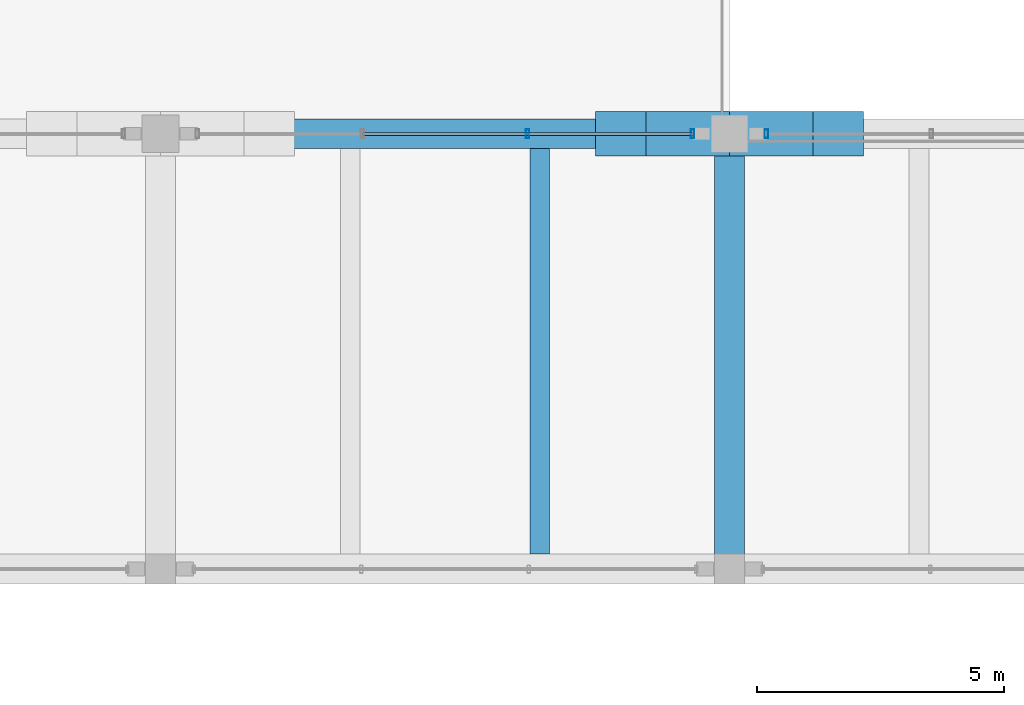
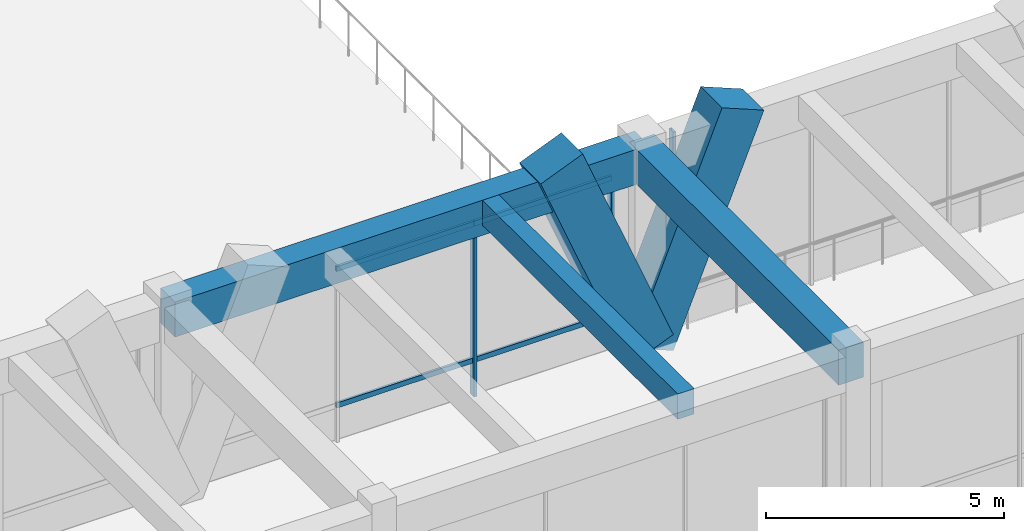
# One storey, part 90 of 148: 9 members, 3 beams, 2 elements without a shape of their own.
"""IFC4 building model written with IfcOpenShell, lengths in metres."""

from ifc_helpers import new_model, si_unit, direction, frame, origin, origin_2d, place, context, subcontext, project, spatial, rectangle, hollow_rectangle, extrude, material, material_profile, profile_set, type_object, element, aggregate, save


model = new_model("IFC4")

# Units and contexts
model_context = context("Model", 3, precision=1e-05, world=origin(), true_north=direction((0.0, 1.0)))
body_context = subcontext(model_context, "Body", "Model", "MODEL_VIEW")
ifc_project = project(units=[si_unit("LENGTHUNIT", "METRE"), si_unit("AREAUNIT", "SQUARE_METRE"), si_unit("VOLUMEUNIT", "CUBIC_METRE"), si_unit("PLANEANGLEUNIT", "RADIAN"), si_unit("MASSUNIT", "GRAM", prefix="KILO")], contexts=[model_context])

# Site, building, storey
site_placement = place(None, origin())
site = spatial("IfcSite", under=ifc_project, at=site_placement, CompositionType="ELEMENT")
building_placement = place(site_placement, origin())
building = spatial("IfcBuilding", under=site, at=building_placement, Name="Ologun Quay Terminus", CompositionType="ELEMENT")
storey_placement = place(building_placement, frame((0.0, 0.0, 8.39990234375)))
storey = spatial("IfcBuildingStorey", under=building, at=storey_placement, Name="L02", CompositionType="ELEMENT", Elevation=8.39990234375)

# Curtain wall, members
ifc_material_1 = material(Name="Aluminium 6063-T6", Category="aluminium")
curtain_wall_type = type_object("IfcCurtainWallType", Name="Train Shed South Clerestory Curtain Wall 10700x5050", PredefinedType="USERDEFINED", material=ifc_material_1)
curtain_wall_1_placement = place(storey_placement, origin())
curtain_wall_1 = element("IfcCurtainWall", 1, at=curtain_wall_1_placement, inside=storey, type_object=curtain_wall_type, Name="CW-08 Curtain Wall CW-L02-068", ObjectType="UNITISED CURTAIN WALL", PredefinedType="USERDEFINED")
ifc_material_2 = material(Name="Aluminium 6063-T6", Category="aluminium")
ifc_material_profile_1 = material_profile(ifc_material_2, hollow_rectangle(XDim=0.070068359375, YDim=0.179931640625, WallThickness=0.0048828125, at=origin_2d()), Name="ALU 180x70x5")
ifc_profile_set_1 = profile_set([ifc_material_profile_1], Name="Aluminium 6063-T6")
member_type_1 = type_object("IfcMemberType", Name="Concourse Clerestory Mullion 180x70", PredefinedType="MULLION", material=ifc_profile_set_1)
member_1_placement = place(storey_placement, frame((145.418212890625, 36.0, 0.0), z_axis=(0.0, 0.0, 1.0), x_axis=(1.0, 0.0, 0.0)))
member_1 = element("IfcMember", 2, at=member_1_placement, type_object=member_type_1, Name="CW-L02-068 Mullion 3", PredefinedType="MULLION", context=body_context, shape_type="SweptSolid", body=[
    extrude(hollow_rectangle(XDim=0.070068359375, YDim=0.179931640625, WallThickness=0.0048828125, at=origin_2d()), origin(), (0.0, 0.0, 1.0), 5.10009765625),
])
member_2_placement = place(storey_placement, frame((148.7548828125, 36.0, 0.0), z_axis=(0.0, 0.0, 1.0), x_axis=(1.0, 0.0, 0.0)))
member_2 = element("IfcMember", 3, at=member_2_placement, type_object=member_type_1, Name="CW-L02-068 Mullion 4", PredefinedType="MULLION", context=body_context, shape_type="SweptSolid", body=[
    extrude(hollow_rectangle(XDim=0.070068359375, YDim=0.179931640625, WallThickness=0.0048828125, at=origin_2d()), origin(), (0.0, 0.0, 1.0), 5.10009765625),
])

# Curtain wall, member
curtain_wall_2_placement = place(storey_placement, origin())
curtain_wall_2 = element("IfcCurtainWall", 4, at=curtain_wall_2_placement, inside=storey, type_object=curtain_wall_type, Name="CW-08 Curtain Wall CW-L02-070", ObjectType="UNITISED CURTAIN WALL", PredefinedType="USERDEFINED")
member_3_placement = place(storey_placement, frame((150.2451171875, 36.0, 0.0), z_axis=(0.0, 0.0, 1.0), x_axis=(1.0, 0.0, 0.0)))
member_3 = element("IfcMember", 5, at=member_3_placement, type_object=member_type_1, Name="CW-L02-070 Mullion 1", PredefinedType="MULLION", context=body_context, shape_type="SweptSolid", body=[
    extrude(hollow_rectangle(XDim=0.070068359375, YDim=0.179931640625, WallThickness=0.0048828125, at=origin_2d()), origin(), (0.0, 0.0, 1.0), 5.10009765625),
])
aggregate(curtain_wall_2, [member_3])

# Member
ifc_material_3 = material(Name="Aluminium 6063-T6", Category="aluminium")
ifc_material_profile_2 = material_profile(ifc_material_3, hollow_rectangle(XDim=0.06005859375, YDim=0.1298828125, WallThickness=0.00390625, at=origin_2d()), Name="ALU 130x60x4")
ifc_profile_set_2 = profile_set([ifc_material_profile_2], Name="Aluminium 6063-T6")
member_type_2 = type_object("IfcMemberType", Name="Concourse Clerestory Transom 130x60", PredefinedType="USERDEFINED", material=ifc_profile_set_2)
member_4_placement = place(storey_placement, frame((142.081787109375, 36.0, 0.900146484375), z_axis=(1.0, 0.0, 0.0), x_axis=(0.0, 1.0, 0.0)))
member_4 = element("IfcMember", 6, at=member_4_placement, type_object=member_type_2, Name="CW-L02-068 Transom B2-1", ObjectType="TRANSOM", PredefinedType="USERDEFINED", context=body_context, shape_type="SweptSolid", body=[
    extrude(hollow_rectangle(XDim=0.06005859375, YDim=0.1298828125, WallThickness=0.00390625, at=origin_2d()), origin(), (0.0, 0.0, 1.0), 3.33642578125),
])

member_5_placement = place(storey_placement, frame((142.081787109375, 36.0, 4.400146484375), z_axis=(1.0, 0.0, 0.0), x_axis=(0.0, 1.0, 0.0)))
member_5 = element("IfcMember", 7, at=member_5_placement, type_object=member_type_2, Name="CW-L02-068 Transom B2-2", ObjectType="TRANSOM", PredefinedType="USERDEFINED", context=body_context, shape_type="SweptSolid", body=[
    extrude(hollow_rectangle(XDim=0.06005859375, YDim=0.1298828125, WallThickness=0.00390625, at=origin_2d()), origin(), (0.0, 0.0, 1.0), 3.33642578125),
])

member_6_placement = place(storey_placement, frame((145.418212890625, 36.0, 0.900146484375), z_axis=(1.0, 0.0, 0.0), x_axis=(0.0, 1.0, 0.0)))
member_6 = element("IfcMember", 8, at=member_6_placement, type_object=member_type_2, Name="CW-L02-068 Transom B3-1", ObjectType="TRANSOM", PredefinedType="USERDEFINED", context=body_context, shape_type="SweptSolid", body=[
    extrude(hollow_rectangle(XDim=0.06005859375, YDim=0.1298828125, WallThickness=0.00390625, at=origin_2d()), origin(), (0.0, 0.0, 1.0), 3.336669921875),
])

member_7_placement = place(storey_placement, frame((145.418212890625, 36.0, 4.400146484375), z_axis=(1.0, 0.0, 0.0), x_axis=(0.0, 1.0, 0.0)))
member_7 = element("IfcMember", 9, at=member_7_placement, type_object=member_type_2, Name="CW-L02-068 Transom B3-2", ObjectType="TRANSOM", PredefinedType="USERDEFINED", context=body_context, shape_type="SweptSolid", body=[
    extrude(hollow_rectangle(XDim=0.06005859375, YDim=0.1298828125, WallThickness=0.00390625, at=origin_2d()), origin(), (0.0, 0.0, 1.0), 3.336669921875),
])

aggregate(curtain_wall_1, [member_1, member_2, member_4, member_5, member_6, member_7])

# Members
ifc_material_4 = material(Name="Concrete C45/55", Category="concrete")
ifc_material_profile_3 = material_profile(ifc_material_4, rectangle(XDim=0.89990234375, YDim=1.10009765625, at=origin_2d()), Name="RC 900x1100")
ifc_profile_set_3 = profile_set([ifc_material_profile_3], Name="Concrete C45/55")
member_type_3 = type_object("IfcMemberType", Name="Sculpted Concrete Arch V-Buttress Strut 900x1100", PredefinedType="STRUT", material=ifc_profile_set_3)
for number, where, z_axis, x_axis, name in (
    (10, (149.5, 36.0, 0.0), (-0.377280927807, 0.0, 0.926098861631), (0.0, -1.0, 0.0), "VS1 Arch V-Buttress West Limb 14/E"),
    (11, (149.5, 36.0, 0.0), (0.377280927807, 0.0, 0.926098861631), (0.0, 1.0, 0.0), "VS1 Arch V-Buttress East Limb 14/E"),
):
    element("IfcMember", number, at=place(storey_placement, frame(where, z_axis=z_axis, x_axis=x_axis)), inside=storey, type_object=member_type_3, Name=name, PredefinedType="STRUT", context=body_context, shape_type="SweptSolid", body=[
        extrude(rectangle(XDim=0.89990234375, YDim=1.10009765625, at=origin_2d()), origin(), (0.0, 0.0, 1.0), 5.8310546875),
    ])

# Beams
ifc_material_5 = material(Name="Concrete C40/50", Category="concrete")
ifc_material_profile_4 = material_profile(ifc_material_5, rectangle(XDim=0.60009765625, YDim=0.89990234375, at=origin_2d()), Name="RC 600x900")
ifc_profile_set_4 = profile_set([ifc_material_profile_4], Name="Concrete C40/50")
beam_type_1 = type_object("IfcBeamType", Name="Station Frame Girder 600x900", PredefinedType="BEAM", material=ifc_profile_set_4)
beam_1_placement = place(storey_placement, frame((138.0, 36.0, 4.7001953125), z_axis=(1.0, 0.0, 0.0), x_axis=(0.0, 1.0, 0.0)))
element("IfcBeam", 12, at=beam_1_placement, inside=storey, type_object=beam_type_1, Name="B3 Beam 13/E L02", PredefinedType="BEAM", context=body_context, shape_type="SweptSolid", body=[
    extrude(rectangle(XDim=0.60009765625, YDim=0.89990234375, at=origin_2d()), origin(), (0.0, 0.0, 1.0), 11.5),
])
beam_2_placement = place(storey_placement, frame((149.5, 27.199951171875, 4.7001953125), z_axis=(0.0, 1.0, 0.0), x_axis=(-1.0, 0.0, 0.0)))
element("IfcBeam", 13, at=beam_2_placement, inside=storey, type_object=beam_type_1, Name="B3 Beam 14/D L02", PredefinedType="BEAM", context=body_context, shape_type="SweptSolid", body=[
    extrude(rectangle(XDim=0.60009765625, YDim=0.89990234375, at=origin_2d()), origin(), (0.0, 0.0, 1.0), 8.800048828125),
])
ifc_material_6 = material(Name="Concrete C40/50", Category="concrete")
ifc_material_profile_5 = material_profile(ifc_material_6, rectangle(XDim=0.39990234375, YDim=0.64990234375, at=origin_2d()), Name="RC 400x650")
ifc_profile_set_5 = profile_set([ifc_material_profile_5], Name="Concrete C40/50")
beam_type_2 = type_object("IfcBeamType", Name="Station Secondary Joist 400x650", PredefinedType="JOIST", material=ifc_profile_set_5)
beam_3_placement = place(storey_placement, frame((145.666748046875, 27.5, 4.8251953125), z_axis=(0.0, 1.0, 0.0), x_axis=(-1.0, 0.0, 0.0)))
element("IfcBeam", 14, at=beam_3_placement, inside=storey, type_object=beam_type_2, Name="J1 Beam 13/D L02", PredefinedType="JOIST", context=body_context, shape_type="SweptSolid", body=[
    extrude(rectangle(XDim=0.39990234375, YDim=0.64990234375, at=origin_2d()), origin(), (0.0, 0.0, 1.0), 8.199951171875),
])

save(model, "model.ifc")
